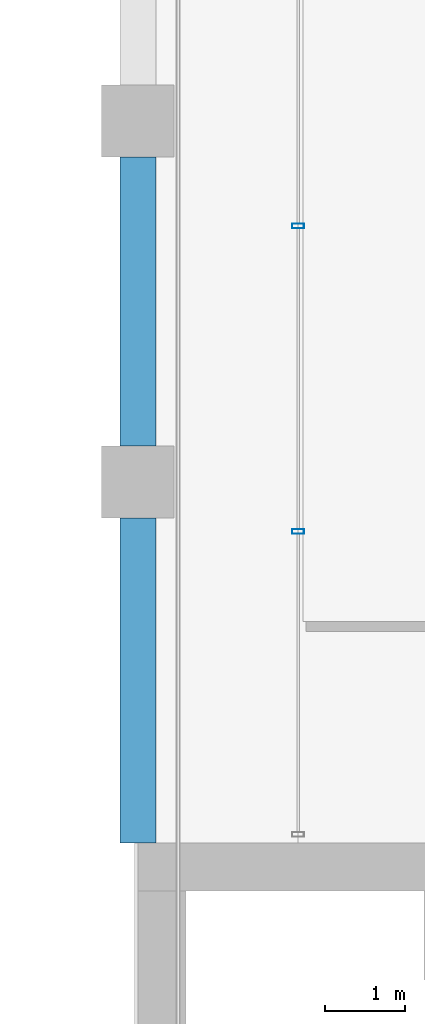
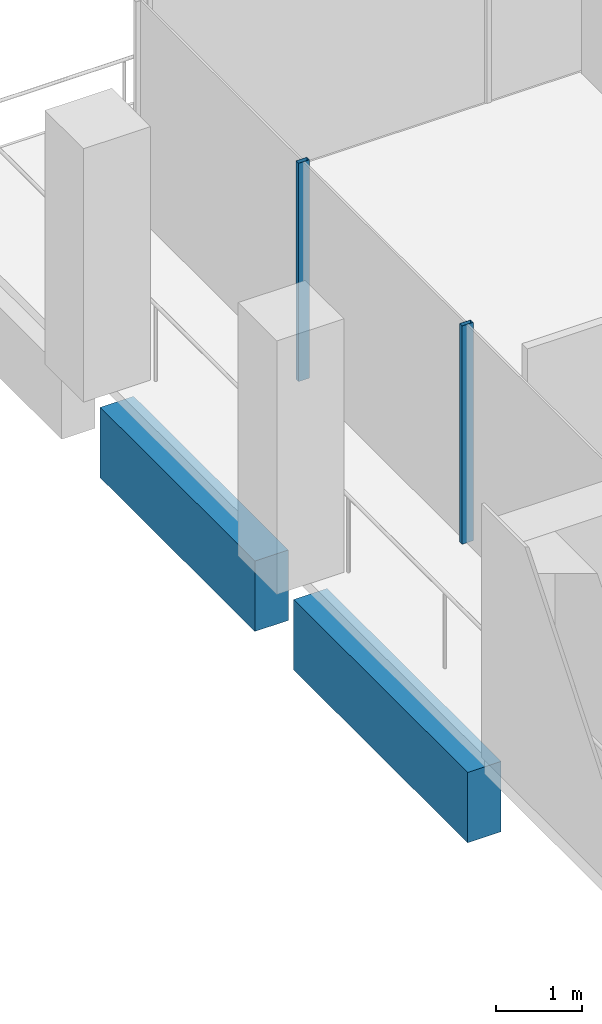
# One storey, part 20 of 40: 2 beams, 2 members, 1 element without a shape of its own.
"""IFC4 building model written with IfcOpenShell, lengths in metres."""

from ifc_helpers import new_model, si_unit, direction, frame, origin, origin_2d, place, context, subcontext, project, spatial, rectangle, hollow_rectangle, extrude, material, material_profile, profile_set, type_object, element, aggregate, save


model = new_model("IFC4")

# Units and contexts
model_context = context("Model", 3, precision=1e-05, world=origin(), true_north=direction((0.0, 1.0)))
body_context = subcontext(model_context, "Body", "Model", "MODEL_VIEW")
ifc_project = project(units=[si_unit("LENGTHUNIT", "METRE"), si_unit("AREAUNIT", "SQUARE_METRE"), si_unit("VOLUMEUNIT", "CUBIC_METRE"), si_unit("PLANEANGLEUNIT", "RADIAN"), si_unit("MASSUNIT", "GRAM", prefix="KILO")], contexts=[model_context])

# Site, building, storey
site_placement = place(None, origin())
site = spatial("IfcSite", under=ifc_project, at=site_placement, CompositionType="ELEMENT")
building_placement = place(site_placement, origin())
building = spatial("IfcBuilding", under=site, at=building_placement, Name="Altepetl Exchange Towers", CompositionType="ELEMENT")
storey_placement = place(building_placement, frame((0.0, 0.0, 154.60009765625)))
storey = spatial("IfcBuildingStorey", under=building, at=storey_placement, Name="L38", CompositionType="ELEMENT", Elevation=154.60009765625)

# Curtain wall, members
ifc_material_1 = material(Name="Aluminium 6063-T6 glazing", Category="aluminium")
curtain_wall_type = type_object("IfcCurtainWallType", Name="Loggia glazing system", PredefinedType="NOTDEFINED", material=ifc_material_1)
curtain_wall_placement = place(storey_placement, origin())
curtain_wall = element("IfcCurtainWall", 1, at=curtain_wall_placement, inside=storey, type_object=curtain_wall_type, Name="CW1 run", PredefinedType="NOTDEFINED")
ifc_material_2 = material(Name="Aluminium 6063-T6", Category="aluminium")
ifc_material_profile_1 = material_profile(ifc_material_2, hollow_rectangle(XDim=0.06005859375, YDim=0.14990234375, WallThickness=0.0029296875, at=origin_2d()), Name="Mullion 60x150 aluminium")
ifc_profile_set_1 = profile_set([ifc_material_profile_1], Name="Aluminium 6063-T6")
member_type = type_object("IfcMemberType", Name="Mullion 60x150 aluminium", PredefinedType="MULLION", material=ifc_profile_set_1)
member_1_placement = place(storey_placement, frame((42.5, 66.191650390625, 0.0), z_axis=(0.0, 0.0, 1.0), x_axis=(0.0, -1.0, 0.0)))
member_1 = element("IfcMember", 2, at=member_1_placement, type_object=member_type, Name="MU1 mullion", PredefinedType="MULLION", context=body_context, shape_type="SweptSolid", body=[
    extrude(hollow_rectangle(XDim=0.06005859375, YDim=0.14990234375, WallThickness=0.0029296875, at=origin_2d()), origin(), (0.0, 0.0, 1.0), 3.099853515625),
])
member_2_placement = place(storey_placement, frame((42.5, 62.38330078125, 0.0), z_axis=(0.0, 0.0, 1.0), x_axis=(0.0, -1.0, 0.0)))
member_2 = element("IfcMember", 3, at=member_2_placement, type_object=member_type, Name="MU1 mullion", PredefinedType="MULLION", context=body_context, shape_type="SweptSolid", body=[
    extrude(hollow_rectangle(XDim=0.06005859375, YDim=0.14990234375, WallThickness=0.0029296875, at=origin_2d()), origin(), (0.0, 0.0, 1.0), 3.099853515625),
])
aggregate(curtain_wall, [member_1, member_2])

# Beams
ifc_material_3 = material(Name="Concrete C50/60 precast with tezontle facing", Category="concrete")
ifc_material_profile_2 = material_profile(ifc_material_3, rectangle(XDim=0.449951171875, YDim=1.0, at=origin_2d()), Name="450 x 1000")
ifc_profile_set_2 = profile_set([ifc_material_profile_2], Name="Concrete C50/60 precast with tezontle facing")
beam_type = type_object("IfcBeamType", Name="Spandrel beam 450x1000 tezontle", PredefinedType="SPANDREL", material=ifc_profile_set_2)
beam_1_placement = place(storey_placement, frame((40.5, 67.050048828125, -0.650146484375), z_axis=(0.0, -1.0, 0.0), x_axis=(1.0, 0.0, 0.0)))
element("IfcBeam", 4, at=beam_1_placement, inside=storey, type_object=beam_type, Name="sp:A:L38:031", PredefinedType="SPANDREL", context=body_context, shape_type="SweptSolid", body=[
    extrude(rectangle(XDim=0.449951171875, YDim=1.0, at=origin_2d()), origin(), (0.0, 0.0, 1.0), 3.60009765625),
])
beam_2_placement = place(storey_placement, frame((40.5, 62.550048828125, -0.650146484375), z_axis=(0.0, -1.0, 0.0), x_axis=(1.0, 0.0, 0.0)))
element("IfcBeam", 5, at=beam_2_placement, inside=storey, type_object=beam_type, Name="sp:A:L38:032", PredefinedType="SPANDREL", context=body_context, shape_type="SweptSolid", body=[
    extrude(rectangle(XDim=0.449951171875, YDim=1.0, at=origin_2d()), origin(), (0.0, 0.0, 1.0), 4.050048828125),
])

save(model, "model.ifc")
